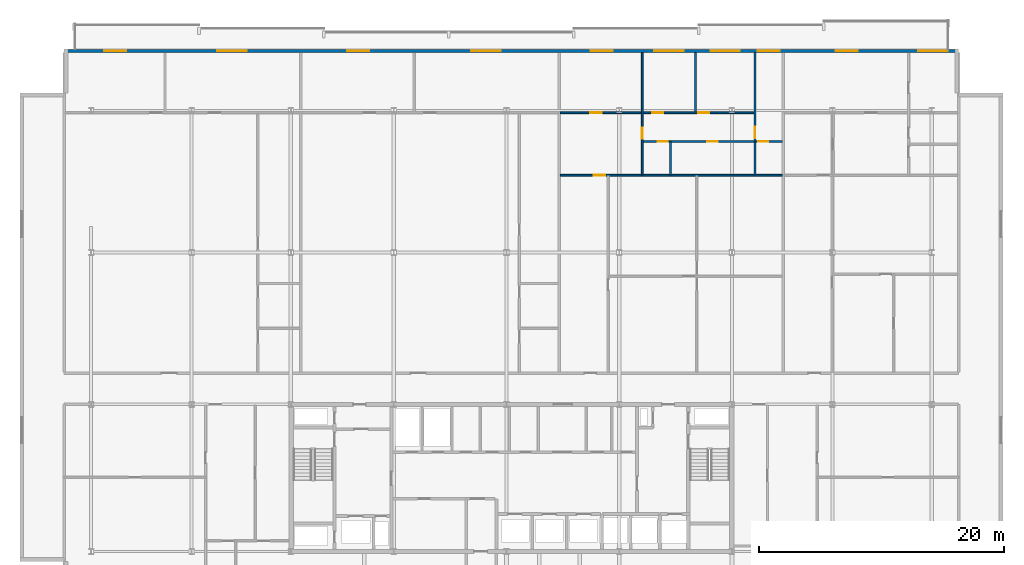
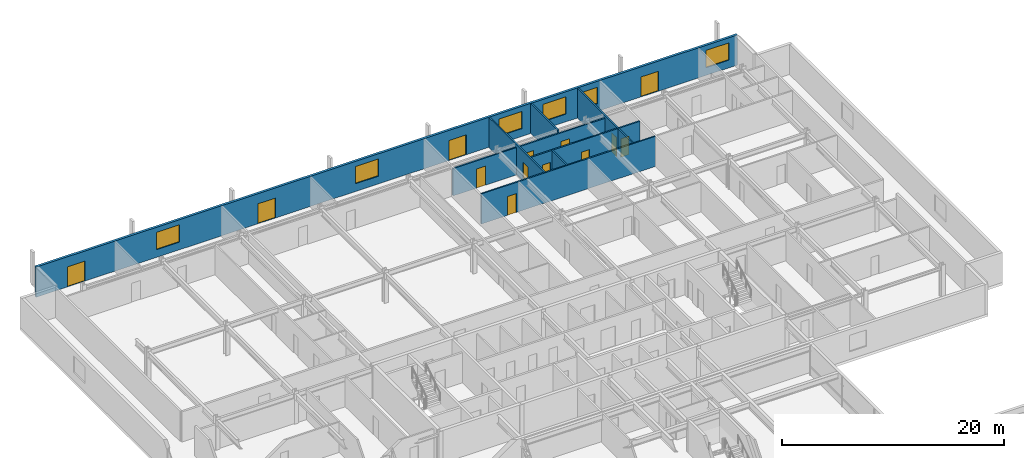
# One storey, part 28 of 36: 13 doors, 9 walls, 6 windows, 19 openings.
"""IFC4 building model written with IfcOpenShell, lengths in metres."""

from ifc_helpers import new_model, si_unit, direction, frame, frame_2d, origin, place, context, subcontext, project, spatial, rectangle, extrude, material, layer, layer_set, type_object, element, fill, save


model = new_model("IFC4")

# Units and contexts
model_context = context("Model", 3, precision=1e-05, world=origin(), true_north=direction((0.0, 1.0)))
body_context = subcontext(model_context, "Body", "Model", "MODEL_VIEW")
ifc_project = project(units=[si_unit("LENGTHUNIT", "METRE"), si_unit("AREAUNIT", "SQUARE_METRE"), si_unit("VOLUMEUNIT", "CUBIC_METRE"), si_unit("PLANEANGLEUNIT", "RADIAN"), si_unit("MASSUNIT", "GRAM", prefix="KILO")], contexts=[model_context])

# Site, building, storey
site_placement = place(None, origin())
site = spatial("IfcSite", under=ifc_project, at=site_placement, CompositionType="ELEMENT")
building_placement = place(site_placement, origin())
building = spatial("IfcBuilding", under=site, at=building_placement, Name="Korimba Cascade Residences", CompositionType="ELEMENT")
storey_placement = place(building_placement, frame((0.0, 0.0, 139.300048828125)))
storey = spatial("IfcBuildingStorey", under=building, at=storey_placement, Name="L40", CompositionType="ELEMENT", Elevation=139.300048828125)

# Wall, openings, doors, windows
ifc_material_1 = material(Name="Precast concrete C40/50", Category="concrete")
ifc_layer_1 = layer(ifc_material_1, 0.25)
ifc_layer_set_1 = layer_set([ifc_layer_1], Name="Precast concrete C40/50")
wall_type_1 = type_object("IfcWallType", Name="EW-LOG-250", PredefinedType="STANDARD", material=ifc_layer_set_1)
wall_1_placement = place(storey_placement, frame((130.60009765625, 96.050048828125, 0.0), z_axis=(0.0, 0.0, 1.0), x_axis=(-1.0, 0.0, 0.0)))
wall_1 = element("IfcWall", 1, at=wall_1_placement, inside=storey, type_object=wall_type_1, Name="L40 T1 Perimeter Stone Wall E06", PredefinedType="STANDARD", context=body_context, shape_type="SweptSolid", body=[
    extrude(rectangle(XDim=73.0, YDim=0.25, at=frame_2d((36.5, 0.0))), origin(), (0.0, 0.0, 1.0), 3.31005859375),
])
opening_1_placement = place(wall_1_placement, frame((67.92138671875, 0.0, 0.0)))
opening_1 = element("IfcOpeningElement", 2, at=opening_1_placement, cuts=wall_1, Name="Opening D-LG1", PredefinedType="OPENING", context=body_context, shape_type="SweptSolid", body=[
    extrude(rectangle(XDim=1.800048828125, YDim=2.199951171875, at=frame_2d((0.89990234375, 1.10009765625))), frame((0.0, 0.135009765625, 0.0), z_axis=(0.0, -1.0, 0.0), x_axis=(1.0, 0.0, 0.0)), (0.0, 0.0, 1.0), 0.27001953125),
])
opening_2_placement = place(wall_1_placement, frame((58.084228515625, 0.0, 0.85009765625)))
opening_2 = element("IfcOpeningElement", 3, at=opening_2_placement, cuts=wall_1, Name="Opening W-01", PredefinedType="OPENING", context=body_context, shape_type="SweptSolid", body=[
    extrude(rectangle(XDim=2.39990234375, YDim=1.89990234375, at=frame_2d((1.199951171875, 0.949951171875))), frame((0.0, 0.135009765625, 0.0), z_axis=(0.0, -1.0, 0.0), x_axis=(1.0, 0.0, 0.0)), (0.0, 0.0, 1.0), 0.27001953125),
])
opening_3_placement = place(wall_1_placement, frame((48.101318359375, 0.0, 0.0)))
opening_3 = element("IfcOpeningElement", 4, at=opening_3_placement, cuts=wall_1, Name="Opening D-LG1", PredefinedType="OPENING", context=body_context, shape_type="SweptSolid", body=[
    extrude(rectangle(XDim=1.800048828125, YDim=2.199951171875, at=frame_2d((0.89990234375, 1.10009765625))), frame((0.0, 0.135009765625, 0.0), z_axis=(0.0, -1.0, 0.0), x_axis=(1.0, 0.0, 0.0)), (0.0, 0.0, 1.0), 0.27001953125),
])
opening_4_placement = place(wall_1_placement, frame((37.367919921875, 0.0, 0.85009765625)))
opening_4 = element("IfcOpeningElement", 5, at=opening_4_placement, cuts=wall_1, Name="Opening W-01", PredefinedType="OPENING", context=body_context, shape_type="SweptSolid", body=[
    extrude(rectangle(XDim=2.39990234375, YDim=1.89990234375, at=frame_2d((1.199951171875, 0.949951171875))), frame((0.0, 0.135009765625, 0.0), z_axis=(0.0, -1.0, 0.0), x_axis=(1.0, 0.0, 0.0)), (0.0, 0.0, 1.0), 0.27001953125),
])
opening_5_placement = place(wall_1_placement, frame((22.445068359375, 0.0, 0.85009765625)))
opening_5 = element("IfcOpeningElement", 6, at=opening_5_placement, cuts=wall_1, Name="Opening W-01", PredefinedType="OPENING", context=body_context, shape_type="SweptSolid", body=[
    extrude(rectangle(XDim=2.39990234375, YDim=1.89990234375, at=frame_2d((1.199951171875, 0.949951171875))), frame((0.0, 0.135009765625, 0.0), z_axis=(0.0, -1.0, 0.0), x_axis=(1.0, 0.0, 0.0)), (0.0, 0.0, 1.0), 0.27001953125),
])
opening_6_placement = place(wall_1_placement, frame((17.844970703125, 0.0, 0.85009765625)))
opening_6 = element("IfcOpeningElement", 7, at=opening_6_placement, cuts=wall_1, Name="Opening W-01", PredefinedType="OPENING", context=body_context, shape_type="SweptSolid", body=[
    extrude(rectangle(XDim=2.39990234375, YDim=1.89990234375, at=frame_2d((1.199951171875, 0.949951171875))), frame((0.0, 0.135009765625, 0.0), z_axis=(0.0, -1.0, 0.0), x_axis=(1.0, 0.0, 0.0)), (0.0, 0.0, 1.0), 0.27001953125),
])
opening_7_placement = place(wall_1_placement, frame((28.2392578125, 0.0, 0.0)))
opening_7 = element("IfcOpeningElement", 8, at=opening_7_placement, cuts=wall_1, Name="Opening D-LG1", PredefinedType="OPENING", context=body_context, shape_type="SweptSolid", body=[
    extrude(rectangle(XDim=1.800048828125, YDim=2.199951171875, at=frame_2d((0.89990234375, 1.10009765625))), frame((0.0, 0.135009765625, 0.0), z_axis=(0.0, -1.0, 0.0), x_axis=(1.0, 0.0, 0.0)), (0.0, 0.0, 1.0), 0.27001953125),
])
opening_8_placement = place(wall_1_placement, frame((14.5986328125, 0.0, 0.85009765625)))
opening_8 = element("IfcOpeningElement", 9, at=opening_8_placement, cuts=wall_1, Name="Opening W-02", PredefinedType="OPENING", context=body_context, shape_type="SweptSolid", body=[
    extrude(rectangle(XDim=1.800048828125, YDim=1.800048828125, at=frame_2d((0.89990234375, 0.89990234375))), frame((0.0, 0.135009765625, 0.0), z_axis=(0.0, -1.0, 0.0), x_axis=(1.0, 0.0, 0.0)), (0.0, 0.0, 1.0), 0.27001953125),
])
opening_9_placement = place(wall_1_placement, frame((8.233642578125, 0.0, 0.0)))
opening_9 = element("IfcOpeningElement", 10, at=opening_9_placement, cuts=wall_1, Name="Opening D-LG1", PredefinedType="OPENING", context=body_context, shape_type="SweptSolid", body=[
    extrude(rectangle(XDim=1.800048828125, YDim=2.199951171875, at=frame_2d((0.89990234375, 1.10009765625))), frame((0.0, 0.135009765625, 0.0), z_axis=(0.0, -1.0, 0.0), x_axis=(1.0, 0.0, 0.0)), (0.0, 0.0, 1.0), 0.27001953125),
])
opening_10_placement = place(wall_1_placement, frame((0.89990234375, 0.0, 0.85009765625)))
opening_10 = element("IfcOpeningElement", 11, at=opening_10_placement, cuts=wall_1, Name="Opening W-01", PredefinedType="OPENING", context=body_context, shape_type="SweptSolid", body=[
    extrude(rectangle(XDim=2.39990234375, YDim=1.89990234375, at=frame_2d((1.199951171875, 0.949951171875))), frame((0.0, 0.135009765625, 0.0), z_axis=(0.0, -1.0, 0.0), x_axis=(1.0, 0.0, 0.0)), (0.0, 0.0, 1.0), 0.27001953125),
])
ifc_material_2 = material(Name="Glazed Aluminium Loggia Sliding Door", Category="aluminium")
door_type_1 = type_object("IfcDoorType", Name="DR-EXT-LOG", OperationType="NOTDEFINED", PredefinedType="DOOR", material=ifc_material_2)
door_1_placement = place(opening_1_placement, origin())
door_1 = element("IfcDoor", 12, at=door_1_placement, inside=storey, type_object=door_type_1, Name="L40 T1 Loggia Sliding Door 3", OperationType="SLIDING_TO_LEFT", OverallHeight=2.199951171875, OverallWidth=1.800048828125, PredefinedType="DOOR", context=body_context, shape_type="SweptSolid", body=[
    extrude(rectangle(XDim=1.800048828125, YDim=2.199951171875, at=frame_2d((0.89990234375, 1.10009765625))), frame((0.0, 0.02490234375, 0.0), z_axis=(0.0, -1.0, 0.0), x_axis=(1.0, 0.0, 0.0)), (0.0, 0.0, 1.0), 0.050048828125),
])
fill(opening_1, door_1)
door_2_placement = place(opening_3_placement, origin())
door_2 = element("IfcDoor", 13, at=door_2_placement, inside=storey, type_object=door_type_1, Name="L40 T1 Loggia Sliding Door 5", OperationType="SLIDING_TO_LEFT", OverallHeight=2.199951171875, OverallWidth=1.800048828125, PredefinedType="DOOR", context=body_context, shape_type="SweptSolid", body=[
    extrude(rectangle(XDim=1.800048828125, YDim=2.199951171875, at=frame_2d((0.89990234375, 1.10009765625))), frame((0.0, 0.02490234375, 0.0), z_axis=(0.0, -1.0, 0.0), x_axis=(1.0, 0.0, 0.0)), (0.0, 0.0, 1.0), 0.050048828125),
])
fill(opening_3, door_2)
door_3_placement = place(opening_7_placement, origin())
door_3 = element("IfcDoor", 14, at=door_3_placement, inside=storey, type_object=door_type_1, Name="L40 T1 Loggia Sliding Door 9", OperationType="SLIDING_TO_LEFT", OverallHeight=2.199951171875, OverallWidth=1.800048828125, PredefinedType="DOOR", context=body_context, shape_type="SweptSolid", body=[
    extrude(rectangle(XDim=1.800048828125, YDim=2.199951171875, at=frame_2d((0.89990234375, 1.10009765625))), frame((0.0, 0.02490234375, 0.0), z_axis=(0.0, -1.0, 0.0), x_axis=(1.0, 0.0, 0.0)), (0.0, 0.0, 1.0), 0.050048828125),
])
fill(opening_7, door_3)
door_4_placement = place(opening_9_placement, origin())
door_4 = element("IfcDoor", 15, at=door_4_placement, inside=storey, type_object=door_type_1, Name="L40 T1 Loggia Sliding Door 11", OperationType="SLIDING_TO_LEFT", OverallHeight=2.199951171875, OverallWidth=1.800048828125, PredefinedType="DOOR", context=body_context, shape_type="SweptSolid", body=[
    extrude(rectangle(XDim=1.800048828125, YDim=2.199951171875, at=frame_2d((0.89990234375, 1.10009765625))), frame((0.0, 0.02490234375, 0.0), z_axis=(0.0, -1.0, 0.0), x_axis=(1.0, 0.0, 0.0)), (0.0, 0.0, 1.0), 0.050048828125),
])
fill(opening_9, door_4)
ifc_material_3 = material(Name="Double-Glazed Aluminium Window", Category="aluminium")
window_type_1 = type_object("IfcWindowType", Name="WIN-BED-1800", PartitioningType="SINGLE_PANEL", PredefinedType="WINDOW", material=ifc_material_3)
window_1_placement = place(opening_8_placement, origin())
window_1 = element("IfcWindow", 16, at=window_1_placement, inside=storey, type_object=window_type_1, Name="L40 T1 North Facade Window 10", OverallHeight=1.800048828125, OverallWidth=1.800048828125, PartitioningType="SINGLE_PANEL", PredefinedType="WINDOW", context=body_context, shape_type="SweptSolid", body=[
    extrude(rectangle(XDim=1.800048828125, YDim=1.800048828125, at=frame_2d((0.89990234375, 0.89990234375))), frame((0.0, 0.030029296875, 0.0), z_axis=(0.0, -1.0, 0.0), x_axis=(1.0, 0.0, 0.0)), (0.0, 0.0, 1.0), 0.06005859375),
])
fill(opening_8, window_1)
window_type_2 = type_object("IfcWindowType", Name="WIN-RES-2400", PartitioningType="DOUBLE_PANEL_VERTICAL", PredefinedType="WINDOW", material=ifc_material_3)
window_2_placement = place(opening_2_placement, origin())
window_2 = element("IfcWindow", 17, at=window_2_placement, inside=storey, type_object=window_type_2, Name="L40 T1 North Facade Window 4", OverallHeight=1.89990234375, OverallWidth=2.39990234375, PartitioningType="DOUBLE_PANEL_VERTICAL", PredefinedType="WINDOW", context=body_context, shape_type="SweptSolid", body=[
    extrude(rectangle(XDim=2.39990234375, YDim=1.89990234375, at=frame_2d((1.199951171875, 0.949951171875))), frame((0.0, 0.030029296875, 0.0), z_axis=(0.0, -1.0, 0.0), x_axis=(1.0, 0.0, 0.0)), (0.0, 0.0, 1.0), 0.06005859375),
])
fill(opening_2, window_2)
window_3_placement = place(opening_4_placement, origin())
window_3 = element("IfcWindow", 18, at=window_3_placement, inside=storey, type_object=window_type_2, Name="L40 T1 North Facade Window 6", OverallHeight=1.89990234375, OverallWidth=2.39990234375, PartitioningType="DOUBLE_PANEL_VERTICAL", PredefinedType="WINDOW", context=body_context, shape_type="SweptSolid", body=[
    extrude(rectangle(XDim=2.39990234375, YDim=1.89990234375, at=frame_2d((1.199951171875, 0.949951171875))), frame((0.0, 0.030029296875, 0.0), z_axis=(0.0, -1.0, 0.0), x_axis=(1.0, 0.0, 0.0)), (0.0, 0.0, 1.0), 0.06005859375),
])
fill(opening_4, window_3)
window_4_placement = place(opening_5_placement, origin())
window_4 = element("IfcWindow", 19, at=window_4_placement, inside=storey, type_object=window_type_2, Name="L40 T1 North Facade Window 7", OverallHeight=1.89990234375, OverallWidth=2.39990234375, PartitioningType="DOUBLE_PANEL_VERTICAL", PredefinedType="WINDOW", context=body_context, shape_type="SweptSolid", body=[
    extrude(rectangle(XDim=2.39990234375, YDim=1.89990234375, at=frame_2d((1.199951171875, 0.949951171875))), frame((0.0, 0.030029296875, 0.0), z_axis=(0.0, -1.0, 0.0), x_axis=(1.0, 0.0, 0.0)), (0.0, 0.0, 1.0), 0.06005859375),
])
fill(opening_5, window_4)
window_5_placement = place(opening_6_placement, origin())
window_5 = element("IfcWindow", 20, at=window_5_placement, inside=storey, type_object=window_type_2, Name="L40 T1 North Facade Window 8", OverallHeight=1.89990234375, OverallWidth=2.39990234375, PartitioningType="DOUBLE_PANEL_VERTICAL", PredefinedType="WINDOW", context=body_context, shape_type="SweptSolid", body=[
    extrude(rectangle(XDim=2.39990234375, YDim=1.89990234375, at=frame_2d((1.199951171875, 0.949951171875))), frame((0.0, 0.030029296875, 0.0), z_axis=(0.0, -1.0, 0.0), x_axis=(1.0, 0.0, 0.0)), (0.0, 0.0, 1.0), 0.06005859375),
])
fill(opening_6, window_5)
window_6_placement = place(opening_10_placement, origin())
window_6 = element("IfcWindow", 21, at=window_6_placement, inside=storey, type_object=window_type_2, Name="L40 T1 North Facade Window 12", OverallHeight=1.89990234375, OverallWidth=2.39990234375, PartitioningType="DOUBLE_PANEL_VERTICAL", PredefinedType="WINDOW", context=body_context, shape_type="SweptSolid", body=[
    extrude(rectangle(XDim=2.39990234375, YDim=1.89990234375, at=frame_2d((1.199951171875, 0.949951171875))), frame((0.0, 0.030029296875, 0.0), z_axis=(0.0, -1.0, 0.0), x_axis=(1.0, 0.0, 0.0)), (0.0, 0.0, 1.0), 0.06005859375),
])
fill(opening_10, window_6)

# Walls
ifc_material_4 = material(Name="Insulated Acoustic Stud Partition", Category="gypsum")
ifc_layer_2 = layer(ifc_material_4, 0.14990234375)
ifc_layer_set_2 = layer_set([ifc_layer_2], Name="Insulated Acoustic Stud Partition")
wall_type_2 = type_object("IfcWallType", Name="WAL-PART-150", PredefinedType="PARTITIONING", material=ifc_layer_set_2)
wall_2_placement = place(storey_placement, frame((107.090087890625, 85.93994140625, 0.0), z_axis=(0.0, 0.0, 1.0), x_axis=(0.0, 1.0, 0.0)))
element("IfcWall", 22, at=wall_2_placement, inside=storey, type_object=wall_type_2, Name="L40 Partition Wall WAL-L40-T1-U03-VDRS", PredefinedType="PARTITIONING", context=body_context, shape_type="SweptSolid", body=[
    extrude(rectangle(XDim=2.68994140625, YDim=0.14990234375, at=frame_2d((1.344970703125, 0.0))), origin(), (0.0, 0.0, 1.0), 3.31005859375),
])
wall_3_placement = place(storey_placement, frame((109.1298828125, 91.080078125, 0.0), z_axis=(0.0, 0.0, 1.0), x_axis=(0.0, 1.0, 0.0)))
element("IfcWall", 23, at=wall_3_placement, inside=storey, type_object=wall_type_2, Name="L40 Partition Wall WAL-L40-T1-U03-VSTD", PredefinedType="PARTITIONING", context=body_context, shape_type="SweptSolid", body=[
    extrude(rectangle(XDim=4.81982421875, YDim=0.14990234375, at=frame_2d((2.409912109375, 0.0))), origin(), (0.0, 0.0, 1.0), 3.31005859375),
])

# Wall, opening, door
wall_4_placement = place(storey_placement, frame((104.780029296875, 85.93994140625, 0.0), z_axis=(0.0, 0.0, 1.0), x_axis=(0.0, 1.0, 0.0)))
wall_4 = element("IfcWall", 24, at=wall_4_placement, inside=storey, type_object=wall_type_2, Name="L40 Partition Wall WAL-L40-T1-U03-V1", PredefinedType="PARTITIONING", context=body_context, shape_type="SweptSolid", body=[
    extrude(rectangle(XDim=9.9599609375, YDim=0.14990234375, at=frame_2d((4.97998046875, 0.0))), origin(), (0.0, 0.0, 1.0), 3.31005859375),
])
opening_11_placement = place(wall_4_placement, frame((2.93603515625, 0.0, 0.0)))
opening_11 = element("IfcOpeningElement", 25, at=opening_11_placement, cuts=wall_4, Name="Opening D-IN1", PredefinedType="OPENING", context=body_context, shape_type="SweptSolid", body=[
    extrude(rectangle(XDim=0.919921875, YDim=2.080078125, at=frame_2d((0.4599609375, 1.0400390625))), frame((0.0, 0.0849609375, 0.0), z_axis=(0.0, -1.0, 0.0), x_axis=(1.0, 0.0, 0.0)), (0.0, 0.0, 1.0), 0.169921875),
])
ifc_material_5 = material(Name="Acoustic Timber Living Door", Category="wood")
door_type_2 = type_object("IfcDoorType", Name="DR-INT-920", OperationType="NOTDEFINED", PredefinedType="DOOR", material=ifc_material_5)
door_5_placement = place(opening_11_placement, origin())
door_5 = element("IfcDoor", 26, at=door_5_placement, inside=storey, type_object=door_type_2, Name="L40-T1-U03 Hallway Door", OperationType="SINGLE_SWING_LEFT", OverallHeight=2.080078125, OverallWidth=0.919921875, PredefinedType="DOOR", context=body_context, shape_type="SweptSolid", body=[
    extrude(rectangle(XDim=0.919921875, YDim=2.080078125, at=frame_2d((0.4599609375, 1.0400390625))), frame((0.0, 0.02490234375, 0.0), z_axis=(0.0, -1.0, 0.0), x_axis=(1.0, 0.0, 0.0)), (0.0, 0.0, 1.0), 0.050048828125),
])
fill(opening_11, door_5)

# Wall
wall_5_placement = place(storey_placement, frame((113.97998046875, 85.93994140625, 0.0), z_axis=(0.0, 0.0, 1.0), x_axis=(0.0, 1.0, 0.0)))
element("IfcWall", 27, at=wall_5_placement, inside=storey, type_object=wall_type_2, Name="L40 Partition Wall WAL-L40-T1-U03-VBATH", PredefinedType="PARTITIONING", context=body_context, shape_type="SweptSolid", body=[
    extrude(rectangle(XDim=2.68994140625, YDim=0.14990234375, at=frame_2d((1.344970703125, 0.0))), origin(), (0.0, 0.0, 1.0), 3.31005859375),
])

# Wall, opening, door
wall_6_placement = place(storey_placement, frame((113.97998046875, 88.669921875, 0.0), z_axis=(0.0, 0.0, 1.0), x_axis=(0.0, 1.0, 0.0)))
wall_6 = element("IfcWall", 28, at=wall_6_placement, inside=storey, type_object=wall_type_2, Name="L40 Partition Wall WAL-L40-T1-U03-V2FULL", PredefinedType="PARTITIONING", context=body_context, shape_type="SweptSolid", body=[
    extrude(rectangle(XDim=7.22998046875, YDim=0.14990234375, at=frame_2d((3.614990234375, 0.0))), origin(), (0.0, 0.0, 1.0), 3.31005859375),
])
opening_12_placement = place(wall_6_placement, frame((0.260009765625, 0.0, 0.0)))
opening_12 = element("IfcOpeningElement", 29, at=opening_12_placement, cuts=wall_6, Name="Opening D-IN1", PredefinedType="OPENING", context=body_context, shape_type="SweptSolid", body=[
    extrude(rectangle(XDim=0.919921875, YDim=2.080078125, at=frame_2d((0.4599609375, 1.0400390625))), frame((0.0, 0.0849609375, 0.0), z_axis=(0.0, -1.0, 0.0), x_axis=(1.0, 0.0, 0.0)), (0.0, 0.0, 1.0), 0.169921875),
])
door_6_placement = place(opening_12_placement, origin())
door_6 = element("IfcDoor", 30, at=door_6_placement, inside=storey, type_object=door_type_2, Name="L40-T1-U03 Master Bedroom Door", OperationType="SINGLE_SWING_RIGHT", OverallHeight=2.080078125, OverallWidth=0.919921875, PredefinedType="DOOR", context=body_context, shape_type="SweptSolid", body=[
    extrude(rectangle(XDim=0.919921875, YDim=2.080078125, at=frame_2d((0.4599609375, 1.0400390625))), frame((0.0, 0.02490234375, 0.0), z_axis=(0.0, -1.0, 0.0), x_axis=(1.0, 0.0, 0.0)), (0.0, 0.0, 1.0), 0.050048828125),
])
fill(opening_12, door_6)

# Wall, openings, doors
wall_7_placement = place(storey_placement, frame((104.820068359375, 88.64990234375, 0.0), z_axis=(0.0, 0.0, 1.0), x_axis=(1.0, 0.0, 0.0)))
wall_7 = element("IfcWall", 31, at=wall_7_placement, inside=storey, type_object=wall_type_2, Name="L40 Partition Wall WAL-L40-T1-U03-HWALL", PredefinedType="PARTITIONING", context=body_context, shape_type="SweptSolid", body=[
    extrude(rectangle(XDim=11.392822265625, YDim=0.14990234375, at=frame_2d((5.6962890625, 0.0))), origin(), (0.0, 0.0, 1.0), 3.31005859375),
])
opening_13_placement = place(wall_7_placement, frame((1.2099609375, 0.0, 0.0)))
opening_13 = element("IfcOpeningElement", 32, at=opening_13_placement, cuts=wall_7, Name="Opening D-BT1", PredefinedType="OPENING", context=body_context, shape_type="SweptSolid", body=[
    extrude(rectangle(XDim=0.840087890625, YDim=2.0400390625, at=frame_2d((0.419921875, 1.02001953125))), frame((0.0, 0.0849609375, 0.0), z_axis=(0.0, -1.0, 0.0), x_axis=(1.0, 0.0, 0.0)), (0.0, 0.0, 1.0), 0.169921875),
])
opening_14_placement = place(wall_7_placement, frame((5.2763671875, 0.0, 0.0)))
opening_14 = element("IfcOpeningElement", 33, at=opening_14_placement, cuts=wall_7, Name="Opening D-BT1", PredefinedType="OPENING", context=body_context, shape_type="SweptSolid", body=[
    extrude(rectangle(XDim=0.840087890625, YDim=2.0400390625, at=frame_2d((0.419921875, 1.02001953125))), frame((0.0, 0.0849609375, 0.0), z_axis=(0.0, -1.0, 0.0), x_axis=(1.0, 0.0, 0.0)), (0.0, 0.0, 1.0), 0.169921875),
])
opening_15_placement = place(wall_7_placement, frame((9.409912109375, 0.0, 0.0)))
opening_15 = element("IfcOpeningElement", 34, at=opening_15_placement, cuts=wall_7, Name="Opening D-BT1", PredefinedType="OPENING", context=body_context, shape_type="SweptSolid", body=[
    extrude(rectangle(XDim=0.840087890625, YDim=2.0400390625, at=frame_2d((0.419921875, 1.02001953125))), frame((0.0, 0.0849609375, 0.0), z_axis=(0.0, -1.0, 0.0), x_axis=(1.0, 0.0, 0.0)), (0.0, 0.0, 1.0), 0.169921875),
])
ifc_material_6 = material(Name="Moisture-Resistant Bathroom Timber Door", Category="wood")
door_type_3 = type_object("IfcDoorType", Name="DR-INT-850", OperationType="NOTDEFINED", PredefinedType="DOOR", material=ifc_material_6)
door_7_placement = place(opening_13_placement, origin())
door_7 = element("IfcDoor", 35, at=door_7_placement, inside=storey, type_object=door_type_3, Name="L40-T1-U03 Family Bathroom Door", OperationType="SINGLE_SWING_LEFT", OverallHeight=2.0400390625, OverallWidth=0.840087890625, PredefinedType="DOOR", context=body_context, shape_type="SweptSolid", body=[
    extrude(rectangle(XDim=0.840087890625, YDim=2.0400390625, at=frame_2d((0.419921875, 1.02001953125))), frame((0.0, 0.02490234375, 0.0), z_axis=(0.0, -1.0, 0.0), x_axis=(1.0, 0.0, 0.0)), (0.0, 0.0, 1.0), 0.050048828125),
])
fill(opening_13, door_7)
door_8_placement = place(opening_14_placement, origin())
door_8 = element("IfcDoor", 36, at=door_8_placement, inside=storey, type_object=door_type_3, Name="L40-T1-U03 Dressing Room Door", OperationType="SINGLE_SWING_RIGHT", OverallHeight=2.0400390625, OverallWidth=0.840087890625, PredefinedType="DOOR", context=body_context, shape_type="SweptSolid", body=[
    extrude(rectangle(XDim=0.840087890625, YDim=2.0400390625, at=frame_2d((0.419921875, 1.02001953125))), frame((0.0, 0.02490234375, 0.0), z_axis=(0.0, -1.0, 0.0), x_axis=(1.0, 0.0, 0.0)), (0.0, 0.0, 1.0), 0.050048828125),
])
fill(opening_14, door_8)
door_9_placement = place(opening_15_placement, origin())
door_9 = element("IfcDoor", 37, at=door_9_placement, inside=storey, type_object=door_type_3, Name="L40-T1-U03 En-Suite Door", OperationType="SINGLE_SWING_LEFT", OverallHeight=2.0400390625, OverallWidth=0.840087890625, PredefinedType="DOOR", context=body_context, shape_type="SweptSolid", body=[
    extrude(rectangle(XDim=0.840087890625, YDim=2.0400390625, at=frame_2d((0.419921875, 1.02001953125))), frame((0.0, 0.02490234375, 0.0), z_axis=(0.0, -1.0, 0.0), x_axis=(1.0, 0.0, 0.0)), (0.0, 0.0, 1.0), 0.050048828125),
])
fill(opening_15, door_9)

# Wall, opening, door
wall_8_placement = place(storey_placement, frame((98.101318359375, 85.89990234375, 0.0), z_axis=(0.0, 0.0, 1.0), x_axis=(1.0, 0.0, 0.0)))
wall_8 = element("IfcWall", 38, at=wall_8_placement, inside=storey, type_object=wall_type_2, Name="L40 Partition Wall WAL-L40-T1-U03-MW", PredefinedType="PARTITIONING", context=body_context, shape_type="SweptSolid", body=[
    extrude(rectangle(XDim=18.111572265625, YDim=0.14990234375, at=frame_2d((9.0556640625, 0.0))), origin(), (0.0, 0.0, 1.0), 3.31005859375),
])
opening_16_placement = place(wall_8_placement, frame((2.719970703125, 0.0, 0.0)))
opening_16 = element("IfcOpeningElement", 39, at=opening_16_placement, cuts=wall_8, Name="Opening D-IN1", PredefinedType="OPENING", context=body_context, shape_type="SweptSolid", body=[
    extrude(rectangle(XDim=0.919921875, YDim=2.080078125, at=frame_2d((0.4599609375, 1.0400390625))), frame((0.0, 0.0849609375, 0.0), z_axis=(0.0, -1.0, 0.0), x_axis=(1.0, 0.0, 0.0)), (0.0, 0.0, 1.0), 0.169921875),
])
door_10_placement = place(opening_16_placement, origin())
door_10 = element("IfcDoor", 40, at=door_10_placement, inside=storey, type_object=door_type_2, Name="L40-T1-U03 Kitchen Door", OperationType="SINGLE_SWING_RIGHT", OverallHeight=2.080078125, OverallWidth=0.919921875, PredefinedType="DOOR", context=body_context, shape_type="SweptSolid", body=[
    extrude(rectangle(XDim=0.919921875, YDim=2.080078125, at=frame_2d((0.4599609375, 1.0400390625))), frame((0.0, 0.02490234375, 0.0), z_axis=(0.0, -1.0, 0.0), x_axis=(1.0, 0.0, 0.0)), (0.0, 0.0, 1.0), 0.050048828125),
])
fill(opening_16, door_10)

# Wall, openings, doors
wall_9_placement = place(storey_placement, frame((98.101318359375, 91.0, 0.0), z_axis=(0.0, 0.0, 1.0), x_axis=(1.0, 0.0, 0.0)))
wall_9 = element("IfcWall", 41, at=wall_9_placement, inside=storey, type_object=wall_type_2, Name="L40 Partition Wall WAL-L40-T1-U03-HZ", PredefinedType="PARTITIONING", context=body_context, shape_type="SweptSolid", body=[
    extrude(rectangle(XDim=15.878662109375, YDim=0.14990234375, at=frame_2d((7.939453125, 0.0))), origin(), (0.0, 0.0, 1.0), 3.00341796875),
])
opening_17_placement = place(wall_9_placement, frame((2.4501953125, 0.0, 0.0)))
opening_17 = element("IfcOpeningElement", 42, at=opening_17_placement, cuts=wall_9, Name="Opening D-IN0", PredefinedType="OPENING", context=body_context, shape_type="SweptSolid", body=[
    extrude(rectangle(XDim=0.93994140625, YDim=2.10009765625, at=frame_2d((0.469970703125, 1.050048828125))), frame((0.0, 0.0849609375, 0.0), z_axis=(0.0, -1.0, 0.0), x_axis=(1.0, 0.0, 0.0)), (0.0, 0.0, 1.0), 0.169921875),
])
opening_18_placement = place(wall_9_placement, frame((7.499267578125, 0.0, 0.0)))
opening_18 = element("IfcOpeningElement", 43, at=opening_18_placement, cuts=wall_9, Name="Opening D-IN2", PredefinedType="OPENING", context=body_context, shape_type="SweptSolid", body=[
    extrude(rectangle(XDim=0.8798828125, YDim=2.06005859375, at=frame_2d((0.43994140625, 1.030029296875))), frame((0.0, 0.0849609375, 0.0), z_axis=(0.0, -1.0, 0.0), x_axis=(1.0, 0.0, 0.0)), (0.0, 0.0, 1.0), 0.169921875),
])
opening_19_placement = place(wall_9_placement, frame((11.24853515625, 0.0, 0.0)))
opening_19 = element("IfcOpeningElement", 44, at=opening_19_placement, cuts=wall_9, Name="Opening D-IN2", PredefinedType="OPENING", context=body_context, shape_type="SweptSolid", body=[
    extrude(rectangle(XDim=0.8798828125, YDim=2.06005859375, at=frame_2d((0.43994140625, 1.030029296875))), frame((0.0, 0.0849609375, 0.0), z_axis=(0.0, -1.0, 0.0), x_axis=(1.0, 0.0, 0.0)), (0.0, 0.0, 1.0), 0.169921875),
])
ifc_material_7 = material(Name="Acoustic Timber Bedroom Door", Category="wood")
door_type_4 = type_object("IfcDoorType", Name="DR-INT-880", OperationType="NOTDEFINED", PredefinedType="DOOR", material=ifc_material_7)
door_11_placement = place(opening_18_placement, origin())
door_11 = element("IfcDoor", 45, at=door_11_placement, inside=storey, type_object=door_type_4, Name="L40-T1-U03 Bedroom 2 Door", OperationType="SINGLE_SWING_RIGHT", OverallHeight=2.06005859375, OverallWidth=0.8798828125, PredefinedType="DOOR", context=body_context, shape_type="SweptSolid", body=[
    extrude(rectangle(XDim=0.8798828125, YDim=2.06005859375, at=frame_2d((0.43994140625, 1.030029296875))), frame((0.0, 0.02490234375, 0.0), z_axis=(0.0, -1.0, 0.0), x_axis=(1.0, 0.0, 0.0)), (0.0, 0.0, 1.0), 0.050048828125),
])
fill(opening_18, door_11)
door_12_placement = place(opening_19_placement, origin())
door_12 = element("IfcDoor", 46, at=door_12_placement, inside=storey, type_object=door_type_4, Name="L40-T1-U03 Study Door", OperationType="SINGLE_SWING_LEFT", OverallHeight=2.06005859375, OverallWidth=0.8798828125, PredefinedType="DOOR", context=body_context, shape_type="SweptSolid", body=[
    extrude(rectangle(XDim=0.8798828125, YDim=2.06005859375, at=frame_2d((0.43994140625, 1.030029296875))), frame((0.0, 0.02490234375, 0.0), z_axis=(0.0, -1.0, 0.0), x_axis=(1.0, 0.0, 0.0)), (0.0, 0.0, 1.0), 0.050048828125),
])
fill(opening_19, door_12)
ifc_material_8 = material(Name="Acoustic Timber Living Archway Door", Category="wood")
door_type_5 = type_object("IfcDoorType", Name="DR-INT-950", OperationType="NOTDEFINED", PredefinedType="DOOR", material=ifc_material_8)
door_13_placement = place(opening_17_placement, origin())
door_13 = element("IfcDoor", 47, at=door_13_placement, inside=storey, type_object=door_type_5, Name="L40-T1-U03 Living Room Door", OperationType="SINGLE_SWING_LEFT", OverallHeight=2.10009765625, OverallWidth=0.93994140625, PredefinedType="DOOR", context=body_context, shape_type="SweptSolid", body=[
    extrude(rectangle(XDim=0.93994140625, YDim=2.10009765625, at=frame_2d((0.469970703125, 1.050048828125))), frame((0.0, 0.02490234375, 0.0), z_axis=(0.0, -1.0, 0.0), x_axis=(1.0, 0.0, 0.0)), (0.0, 0.0, 1.0), 0.050048828125),
])
fill(opening_17, door_13)

save(model, "model.ifc")
